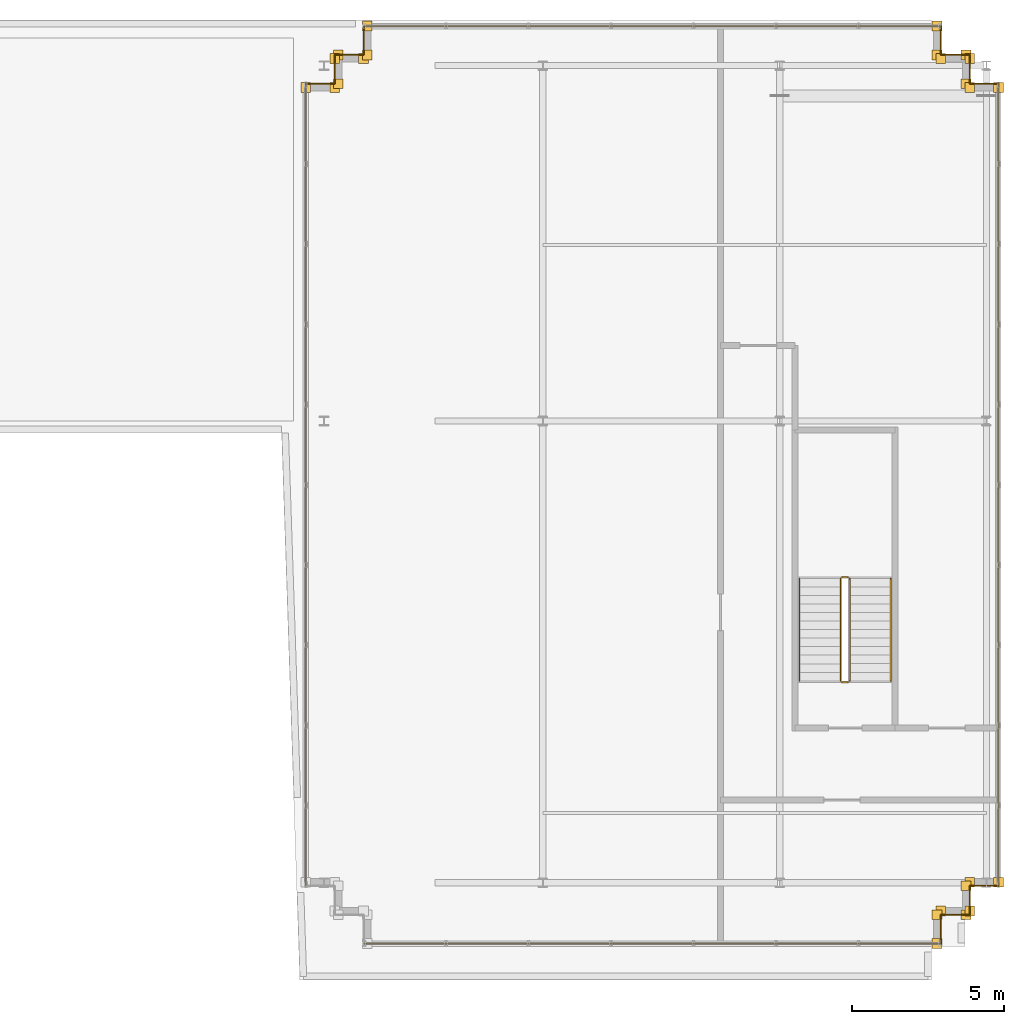
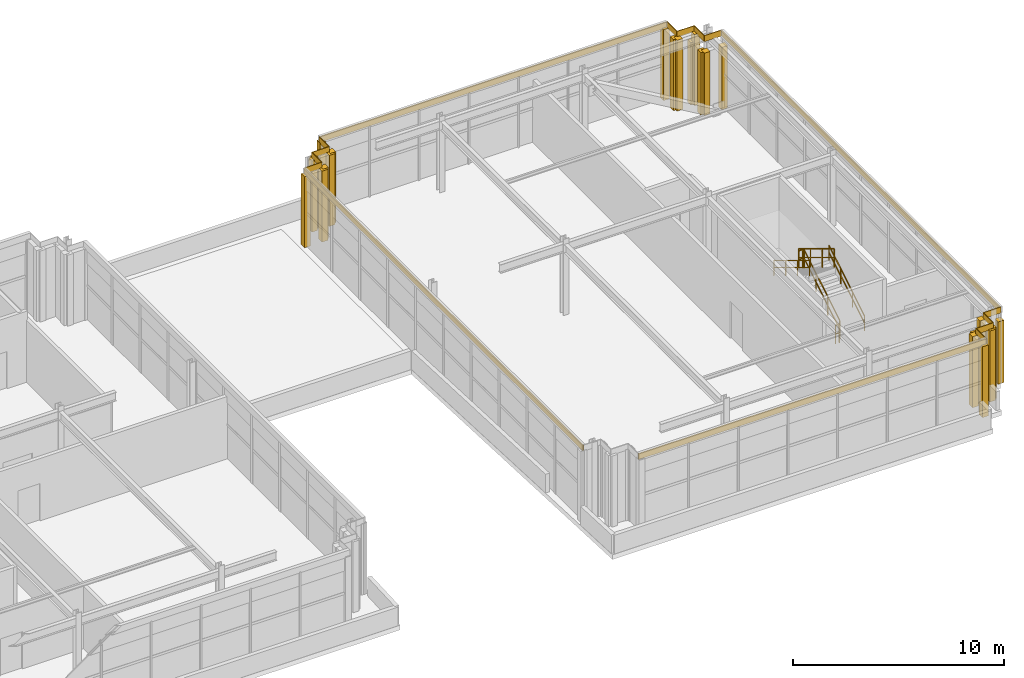
# One storey, part 31 of 31: 40 coverings, 6 railings.
"""IFC4 building model written with IfcOpenShell, lengths in metres."""

from ifc_helpers import new_model, si_unit, direction, frame, origin, origin_2d, place, context, subcontext, project, spatial, rectangle, extrude, source, transform, mapped, material, layer, layer_set, type_object, element, save


model = new_model("IFC4")

# Units and contexts
model_context = context("Model", 3, precision=1e-05, world=origin(), true_north=direction((0.0, 1.0)))
body_context = subcontext(model_context, "Body", "Model", "MODEL_VIEW")
ifc_project = project(units=[si_unit("LENGTHUNIT", "METRE"), si_unit("AREAUNIT", "SQUARE_METRE"), si_unit("VOLUMEUNIT", "CUBIC_METRE"), si_unit("PLANEANGLEUNIT", "RADIAN"), si_unit("MASSUNIT", "GRAM", prefix="KILO")], contexts=[model_context])

# Site, building, storey
site_placement = place(None, origin())
site = spatial("IfcSite", under=ifc_project, at=site_placement, CompositionType="ELEMENT")
building_placement = place(site_placement, origin())
building = spatial("IfcBuilding", under=site, at=building_placement, Name="Trelvane Seafront Commons", CompositionType="ELEMENT")
storey_placement = place(building_placement, frame((0.0, 0.0, 307.89990234375)))
storey = spatial("IfcBuildingStorey", under=building, at=storey_placement, Name="L80", CompositionType="ELEMENT", Elevation=307.89990234375)

# Railings
ifc_material_1 = material(Name="Stainless steel balustrade", Category="steel")
railing_type_1 = type_object("IfcRailingType", Name="ARCH-SRL-GUARD", PredefinedType="GUARDRAIL", material=ifc_material_1)
railing_1_placement = place(storey_placement, frame((61.10009765625, 24.85009765625, 0.16943359375)))
element("IfcRailing", 1, at=railing_1_placement, inside=storey, type_object=railing_type_1, Name="L80 ST-6 stair guard 1", PredefinedType="GUARDRAIL", context=body_context, shape_type="SweptSolid", body=[
    extrude(rectangle(XDim=0.048095703125, YDim=0.048095703125, at=origin_2d()), frame((0.0, 0.0, 1.076171875), z_axis=(0.0, 0.855820338506, 0.51727318527), x_axis=(-1.0, 0.0, 0.0)), (0.0, 0.0, 1.0), 3.92578125),
    extrude(rectangle(XDim=0.048095703125, YDim=0.048095703125, at=origin_2d()), frame((0.0, 0.0, 0.572021484375), z_axis=(0.0, 0.855820338506, 0.51727318527), x_axis=(-1.0, 0.0, 0.0)), (0.0, 0.0, 1.0), 3.92578125),
    extrude(rectangle(XDim=0.0419921875, YDim=0.0419921875, at=origin_2d()), origin(), (0.0, 0.0, 1.0), 1.076171875),
    extrude(rectangle(XDim=0.0419921875, YDim=0.0419921875, at=origin_2d()), frame((0.0, 1.119873046875, 0.677001953125)), (0.0, 0.0, 1.0), 1.076171875),
    extrude(rectangle(XDim=0.0419921875, YDim=0.0419921875, at=origin_2d()), frame((0.0, 2.239990234375, 1.353759765625)), (0.0, 0.0, 1.0), 1.076171875),
    extrude(rectangle(XDim=0.0419921875, YDim=0.0419921875, at=origin_2d()), frame((0.0, 3.35986328125, 2.03076171875)), (0.0, 0.0, 1.0), 1.076171875),
])
railing_2_placement = place(storey_placement, frame((61.050048828125, 28.260009765625, 2.2001953125)))
element("IfcRailing", 2, at=railing_2_placement, inside=storey, type_object=railing_type_1, Name="L80 ST-6 stair guard 2", PredefinedType="GUARDRAIL", context=body_context, shape_type="SweptSolid", body=[
    extrude(rectangle(XDim=0.048095703125, YDim=0.048095703125, at=origin_2d()), frame((0.0, 0.0, 1.076171875), z_axis=(-1.0, 0.0, 0.0), x_axis=(0.0, -1.0, 0.0)), (0.0, 0.0, 1.0), 0.199951171875),
    extrude(rectangle(XDim=0.048095703125, YDim=0.048095703125, at=origin_2d()), frame((0.0, 0.0, 0.572021484375), z_axis=(-1.0, 0.0, 0.0), x_axis=(0.0, -1.0, 0.0)), (0.0, 0.0, 1.0), 0.199951171875),
    extrude(rectangle(XDim=0.0419921875, YDim=0.0419921875, at=origin_2d()), origin(), (0.0, 0.0, 1.0), 1.076171875),
    extrude(rectangle(XDim=0.0419921875, YDim=0.0419921875, at=origin_2d()), frame((-0.199951171875, 0.0, 0.0)), (0.0, 0.0, 1.0), 1.076171875),
])
railing_3_placement = place(storey_placement, frame((60.800048828125, 28.2099609375, 2.369384765625)))
element("IfcRailing", 3, at=railing_3_placement, inside=storey, type_object=railing_type_1, Name="L80 ST-6 stair guard 3", PredefinedType="GUARDRAIL", context=body_context, shape_type="SweptSolid", body=[
    extrude(rectangle(XDim=0.048095703125, YDim=0.048095703125, at=origin_2d()), frame((0.0, 0.0, 1.076171875), z_axis=(0.0, -0.855820338506, 0.51727318527), x_axis=(1.0, 0.0, 0.0)), (0.0, 0.0, 1.0), 3.92578125),
    extrude(rectangle(XDim=0.048095703125, YDim=0.048095703125, at=origin_2d()), frame((0.0, 0.0, 0.572021484375), z_axis=(0.0, -0.855820338506, 0.51727318527), x_axis=(1.0, 0.0, 0.0)), (0.0, 0.0, 1.0), 3.92578125),
    extrude(rectangle(XDim=0.0419921875, YDim=0.0419921875, at=origin_2d()), origin(), (0.0, 0.0, 1.0), 1.076171875),
    extrude(rectangle(XDim=0.0419921875, YDim=0.0419921875, at=origin_2d()), frame((0.0, -1.119873046875, 0.677001953125)), (0.0, 0.0, 1.0), 1.076171875),
    extrude(rectangle(XDim=0.0419921875, YDim=0.0419921875, at=origin_2d()), frame((0.0, -2.239990234375, 1.353759765625)), (0.0, 0.0, 1.0), 1.076171875),
    extrude(rectangle(XDim=0.0419921875, YDim=0.0419921875, at=origin_2d()), frame((0.0, -3.35986328125, 2.03076171875)), (0.0, 0.0, 1.0), 1.076171875),
])
railing_4_placement = place(storey_placement, frame((61.050048828125, 24.800048828125, 0.0)))
element("IfcRailing", 4, at=railing_4_placement, inside=storey, type_object=railing_type_1, Name="L80 ST-6 stair guard 4", PredefinedType="GUARDRAIL", context=body_context, shape_type="SweptSolid", body=[
    extrude(rectangle(XDim=0.048095703125, YDim=0.048095703125, at=origin_2d()), frame((0.0, 0.0, 1.076171875), z_axis=(-1.0, 0.0, 0.0), x_axis=(0.0, -1.0, 0.0)), (0.0, 0.0, 1.0), 0.199951171875),
    extrude(rectangle(XDim=0.048095703125, YDim=0.048095703125, at=origin_2d()), frame((0.0, 0.0, 0.572021484375), z_axis=(-1.0, 0.0, 0.0), x_axis=(0.0, -1.0, 0.0)), (0.0, 0.0, 1.0), 0.199951171875),
    extrude(rectangle(XDim=0.0419921875, YDim=0.0419921875, at=origin_2d()), origin(), (0.0, 0.0, 1.0), 1.076171875),
    extrude(rectangle(XDim=0.0419921875, YDim=0.0419921875, at=origin_2d()), frame((-0.199951171875, 0.0, 0.0)), (0.0, 0.0, 1.0), 1.076171875),
])
railing_type_2 = type_object("IfcRailingType", Name="ARCH-SRL-HAND", PredefinedType="HANDRAIL", material=ifc_material_1)
railing_5_placement = place(storey_placement, frame((62.449951171875, 24.85009765625, 0.16943359375)))
element("IfcRailing", 5, at=railing_5_placement, inside=storey, type_object=railing_type_2, Name="L80 ST-6 stair handrail 1", PredefinedType="HANDRAIL", context=body_context, shape_type="SweptSolid", body=[
    extrude(rectangle(XDim=0.048095703125, YDim=0.048095703125, at=origin_2d()), frame((0.0, 0.0, 0.8759765625), z_axis=(0.0, 0.855820338506, 0.51727318527), x_axis=(-1.0, 0.0, 0.0)), (0.0, 0.0, 1.0), 3.92578125),
    extrude(rectangle(XDim=0.048095703125, YDim=0.048095703125, at=origin_2d()), frame((0.0, 0.0, 0.468017578125), z_axis=(0.0, 0.855820338506, 0.51727318527), x_axis=(-1.0, 0.0, 0.0)), (0.0, 0.0, 1.0), 3.92578125),
    extrude(rectangle(XDim=0.0419921875, YDim=0.0419921875, at=origin_2d()), origin(), (0.0, 0.0, 1.0), 0.8759765625),
    extrude(rectangle(XDim=0.0419921875, YDim=0.0419921875, at=origin_2d()), frame((0.0, 1.119873046875, 0.677001953125)), (0.0, 0.0, 1.0), 0.8759765625),
    extrude(rectangle(XDim=0.0419921875, YDim=0.0419921875, at=origin_2d()), frame((0.0, 2.239990234375, 1.353759765625)), (0.0, 0.0, 1.0), 0.8759765625),
    extrude(rectangle(XDim=0.0419921875, YDim=0.0419921875, at=origin_2d()), frame((0.0, 3.35986328125, 2.03076171875)), (0.0, 0.0, 1.0), 0.8759765625),
])
railing_6_placement = place(storey_placement, frame((59.449951171875, 28.2099609375, 2.369384765625)))
element("IfcRailing", 6, at=railing_6_placement, inside=storey, type_object=railing_type_2, Name="L80 ST-6 stair handrail 2", PredefinedType="HANDRAIL", context=body_context, shape_type="SweptSolid", body=[
    extrude(rectangle(XDim=0.048095703125, YDim=0.048095703125, at=origin_2d()), frame((0.0, 0.0, 0.8759765625), z_axis=(0.0, -0.855820338506, 0.51727318527), x_axis=(1.0, 0.0, 0.0)), (0.0, 0.0, 1.0), 3.92578125),
    extrude(rectangle(XDim=0.048095703125, YDim=0.048095703125, at=origin_2d()), frame((0.0, 0.0, 0.468017578125), z_axis=(0.0, -0.855820338506, 0.51727318527), x_axis=(1.0, 0.0, 0.0)), (0.0, 0.0, 1.0), 3.92578125),
    extrude(rectangle(XDim=0.0419921875, YDim=0.0419921875, at=origin_2d()), origin(), (0.0, 0.0, 1.0), 0.8759765625),
    extrude(rectangle(XDim=0.0419921875, YDim=0.0419921875, at=origin_2d()), frame((0.0, -1.119873046875, 0.677001953125)), (0.0, 0.0, 1.0), 0.8759765625),
    extrude(rectangle(XDim=0.0419921875, YDim=0.0419921875, at=origin_2d()), frame((0.0, -2.239990234375, 1.353759765625)), (0.0, 0.0, 1.0), 0.8759765625),
    extrude(rectangle(XDim=0.0419921875, YDim=0.0419921875, at=origin_2d()), frame((0.0, -3.35986328125, 2.03076171875)), (0.0, 0.0, 1.0), 0.8759765625),
])

# Coverings
ifc_material_2 = material(Name="Anodised pale-silver aluminium", Category="aluminium")
ifc_layer = layer(ifc_material_2, 0.034912109375, Name="ARCH-COV-CLAD35")
ifc_layer_set = layer_set([ifc_layer], Name="Anodised pale-silver aluminium")
covering_type = type_object("IfcCoveringType", Name="ARCH-COV-CLAD35", PredefinedType="CLADDING", material=ifc_layer_set)
shared_shape_1 = source(origin(), body_context, "Body", "SweptSolid", [
    extrude(rectangle(XDim=0.320068359375, YDim=0.320068359375, at=origin_2d()), origin(), (0.0, 0.0, 1.0), 4.10009765625),
])
for number, where, z_axis, x_axis, name in (
    (7, (43.199951171875, 44.3798828125, 0.0), (0.0, 0.0, 1.0), (1.0, 0.0, 0.0), "CLD-CP-L80-00485"),
    (8, (44.14990234375, 44.3798828125, 0.0), (0.0, 0.0, 1.0), (1.0, 0.0, 0.0), "CLD-CP-L80-00486"),
    (9, (44.27001953125, 44.5, 0.0), (0.0, 0.0, 1.0), (1.0, 0.0, 0.0), "CLD-CP-L80-00488"),
    (10, (44.27001953125, 45.449951171875, 0.0), (0.0, 0.0, 1.0), (1.0, 0.0, 0.0), "CLD-CP-L80-00489"),
    (11, (44.14990234375, 45.330078125, 0.0), (0.0, 0.0, 1.0), (1.0, 0.0, 0.0), "CLD-CP-L80-00491"),
    (12, (45.10009765625, 45.330078125, 0.0), (0.0, 0.0, 1.0), (1.0, 0.0, 0.0), "CLD-CP-L80-00492"),
    (13, (45.219970703125, 45.449951171875, 0.0), (0.0, 0.0, 1.0), (1.0, 0.0, 0.0), "CLD-CP-L80-00494"),
    (14, (45.219970703125, 46.39990234375, 0.0), (0.0, 0.0, 1.0), (1.0, 0.0, 0.0), "CLD-CP-L80-00495"),
    (15, (63.97998046875, 46.39990234375, 0.0), (0.0, 0.0, 1.0), (1.0, 0.0, 0.0), "CLD-CP-L80-00498"),
    (16, (63.97998046875, 45.449951171875, 0.0), (0.0, 0.0, 1.0), (1.0, 0.0, 0.0), "CLD-CP-L80-00499"),
    (17, (64.10009765625, 45.330078125, 0.0), (0.0, 0.0, 1.0), (1.0, 0.0, 0.0), "CLD-CP-L80-00501"),
    (18, (65.050048828125, 45.330078125, 0.0), (0.0, 0.0, 1.0), (1.0, 0.0, 0.0), "CLD-CP-L80-00502"),
    (19, (64.929931640625, 18.10009765625, 0.0), (0.0, 0.0, 1.0), (1.0, 0.0, 0.0), "CLD-CP-L80-00514"),
    (20, (64.929931640625, 17.14990234375, 0.0), (0.0, 0.0, 1.0), (1.0, 0.0, 0.0), "CLD-CP-L80-00515"),
    (21, (65.050048828125, 17.27001953125, 0.0), (0.0, 0.0, 1.0), (1.0, 0.0, 0.0), "CLD-CP-L80-00517"),
    (22, (64.10009765625, 17.27001953125, 0.0), (0.0, 0.0, 1.0), (1.0, 0.0, 0.0), "CLD-CP-L80-00518"),
    (23, (63.97998046875, 17.14990234375, 0.0), (0.0, 0.0, 1.0), (1.0, 0.0, 0.0), "CLD-CP-L80-00520"),
    (24, (63.97998046875, 16.199951171875, 0.0), (0.0, 0.0, 1.0), (1.0, 0.0, 0.0), "CLD-CP-L80-00521"),
):
    element("IfcCovering", number, at=place(storey_placement, frame(where, z_axis=z_axis, x_axis=x_axis)), inside=storey, type_object=covering_type, Name=name, PredefinedType="CLADDING", context=body_context, shape_type="MappedRepresentation", body=[
        mapped(shared_shape_1, transform((0.0, 0.0, 0.0), x_axis=(1.0, 0.0, 0.0), y_axis=(0.0, 1.0, 0.0), z_axis=(0.0, 0.0, 1.0), scale=1.0)),
    ])
shared_shape_2 = source(origin(), body_context, "Body", "SweptSolid", [
    extrude(rectangle(XDim=0.320068359375, YDim=0.320068359375, at=origin_2d()), origin(), (0.0, 0.0, 1.0), 3.60009765625),
])
for number, where, z_axis, x_axis, name in (
    (25, (64.929931640625, 45.449951171875, 0.0), (0.0, 0.0, 1.0), (1.0, 0.0, 0.0), "CLD-CP-L80-00504"),
    (26, (64.929931640625, 44.5, 0.0), (0.0, 0.0, 1.0), (1.0, 0.0, 0.0), "CLD-CP-L80-00505"),
    (27, (65.050048828125, 44.3798828125, 0.0), (0.0, 0.0, 1.0), (1.0, 0.0, 0.0), "CLD-CP-L80-00507"),
    (28, (66.0, 44.3798828125, 0.0), (0.0, 0.0, 1.0), (1.0, 0.0, 0.0), "CLD-CP-L80-00508"),
    (29, (66.0, 18.219970703125, 0.0), (0.0, 0.0, 1.0), (1.0, 0.0, 0.0), "CLD-CP-L80-00511"),
    (30, (65.050048828125, 18.219970703125, 0.0), (0.0, 0.0, 1.0), (1.0, 0.0, 0.0), "CLD-CP-L80-00512"),
):
    element("IfcCovering", number, at=place(storey_placement, frame(where, z_axis=z_axis, x_axis=x_axis)), inside=storey, type_object=covering_type, Name=name, PredefinedType="CLADDING", context=body_context, shape_type="MappedRepresentation", body=[
        mapped(shared_shape_2, transform((0.0, 0.0, 0.0), x_axis=(1.0, 0.0, 0.0), y_axis=(0.0, 1.0, 0.0), z_axis=(0.0, 0.0, 1.0), scale=1.0)),
    ])
shared_shape_3 = source(origin(), body_context, "Body", "SweptSolid", [
    extrude(rectangle(XDim=0.949951171875, YDim=0.034912109375, at=origin_2d()), origin(), (0.0, 0.0, 1.0), 0.35009765625),
])
for number, where, z_axis, x_axis, name in (
    (31, (43.675048828125, 44.5, 4.050048828125), (0.0, 0.0, 1.0), (1.0, 0.0, 0.0), "CLD-L80-0487"),
    (32, (44.14990234375, 44.97509765625, 4.050048828125), (0.0, 0.0, 1.0), (0.0, 1.0, 0.0), "CLD-L80-0490"),
    (33, (44.625, 45.449951171875, 4.050048828125), (0.0, 0.0, 1.0), (1.0, 0.0, 0.0), "CLD-L80-0493"),
    (34, (45.10009765625, 45.925048828125, 4.050048828125), (0.0, 0.0, 1.0), (0.0, 1.0, 0.0), "CLD-L80-0496"),
    (35, (64.10009765625, 45.925048828125, 4.050048828125), (0.0, 0.0, 1.0), (0.0, -1.0, 0.0), "CLD-L80-0500"),
    (36, (64.574951171875, 45.449951171875, 4.050048828125), (0.0, 0.0, 1.0), (1.0, 0.0, 0.0), "CLD-L80-0503"),
    (37, (65.050048828125, 44.97509765625, 4.050048828125), (0.0, 0.0, 1.0), (0.0, -1.0, 0.0), "CLD-L80-0506"),
    (38, (65.52490234375, 44.5, 4.050048828125), (0.0, 0.0, 1.0), (1.0, 0.0, 0.0), "CLD-L80-0509"),
    (39, (65.52490234375, 18.10009765625, 4.050048828125), (0.0, 0.0, 1.0), (-1.0, 0.0, 0.0), "CLD-L80-0513"),
    (40, (65.050048828125, 17.625, 4.050048828125), (0.0, 0.0, 1.0), (0.0, -1.0, 0.0), "CLD-L80-0516"),
    (41, (64.574951171875, 17.14990234375, 4.050048828125), (0.0, 0.0, 1.0), (-1.0, 0.0, 0.0), "CLD-L80-0519"),
    (42, (64.10009765625, 16.675048828125, 4.050048828125), (0.0, 0.0, 1.0), (0.0, -1.0, 0.0), "CLD-L80-0522"),
):
    element("IfcCovering", number, at=place(storey_placement, frame(where, z_axis=z_axis, x_axis=x_axis)), inside=storey, type_object=covering_type, Name=name, PredefinedType="CLADDING", context=body_context, shape_type="MappedRepresentation", body=[
        mapped(shared_shape_3, transform((0.0, 0.0, 0.0), x_axis=(1.0, 0.0, 0.0), y_axis=(0.0, 1.0, 0.0), z_axis=(0.0, 0.0, 1.0), scale=1.0)),
    ])
shared_shape_4 = source(origin(), body_context, "Body", "SweptSolid", [
    extrude(rectangle(XDim=26.39990234375, YDim=0.034912109375, at=origin_2d()), origin(), (0.0, 0.0, 1.0), 0.35009765625),
])
for number, where, z_axis, x_axis, name in (
    (43, (43.199951171875, 31.300048828125, 4.050048828125), (0.0, 0.0, 1.0), (0.0, 1.0, 0.0), "CLD-L80-0484"),
    (44, (66.0, 31.300048828125, 4.050048828125), (0.0, 0.0, 1.0), (0.0, -1.0, 0.0), "CLD-L80-0510"),
):
    element("IfcCovering", number, at=place(storey_placement, frame(where, z_axis=z_axis, x_axis=x_axis)), inside=storey, type_object=covering_type, Name=name, PredefinedType="CLADDING", context=body_context, shape_type="MappedRepresentation", body=[
        mapped(shared_shape_4, transform((0.0, 0.0, 0.0), x_axis=(1.0, 0.0, 0.0), y_axis=(0.0, 1.0, 0.0), z_axis=(0.0, 0.0, 1.0), scale=1.0)),
    ])
shared_shape_5 = source(origin(), body_context, "Body", "SweptSolid", [
    extrude(rectangle(XDim=19.0, YDim=0.034912109375, at=origin_2d()), origin(), (0.0, 0.0, 1.0), 0.35009765625),
])
for number, where, z_axis, x_axis, name in (
    (45, (54.60009765625, 46.39990234375, 4.050048828125), (0.0, 0.0, 1.0), (1.0, 0.0, 0.0), "CLD-L80-0497"),
    (46, (54.60009765625, 16.199951171875, 4.050048828125), (0.0, 0.0, 1.0), (-1.0, 0.0, 0.0), "CLD-L80-0523"),
):
    element("IfcCovering", number, at=place(storey_placement, frame(where, z_axis=z_axis, x_axis=x_axis)), inside=storey, type_object=covering_type, Name=name, PredefinedType="CLADDING", context=body_context, shape_type="MappedRepresentation", body=[
        mapped(shared_shape_5, transform((0.0, 0.0, 0.0), x_axis=(1.0, 0.0, 0.0), y_axis=(0.0, 1.0, 0.0), z_axis=(0.0, 0.0, 1.0), scale=1.0)),
    ])

save(model, "model.ifc")
